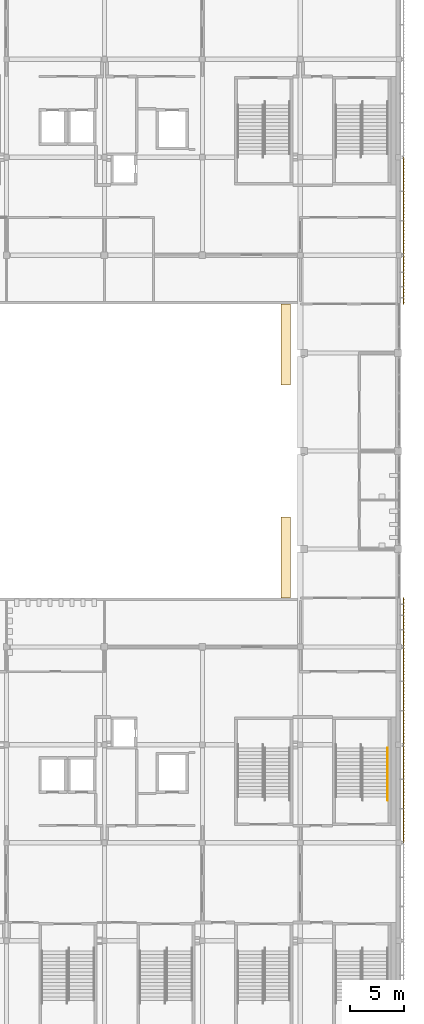
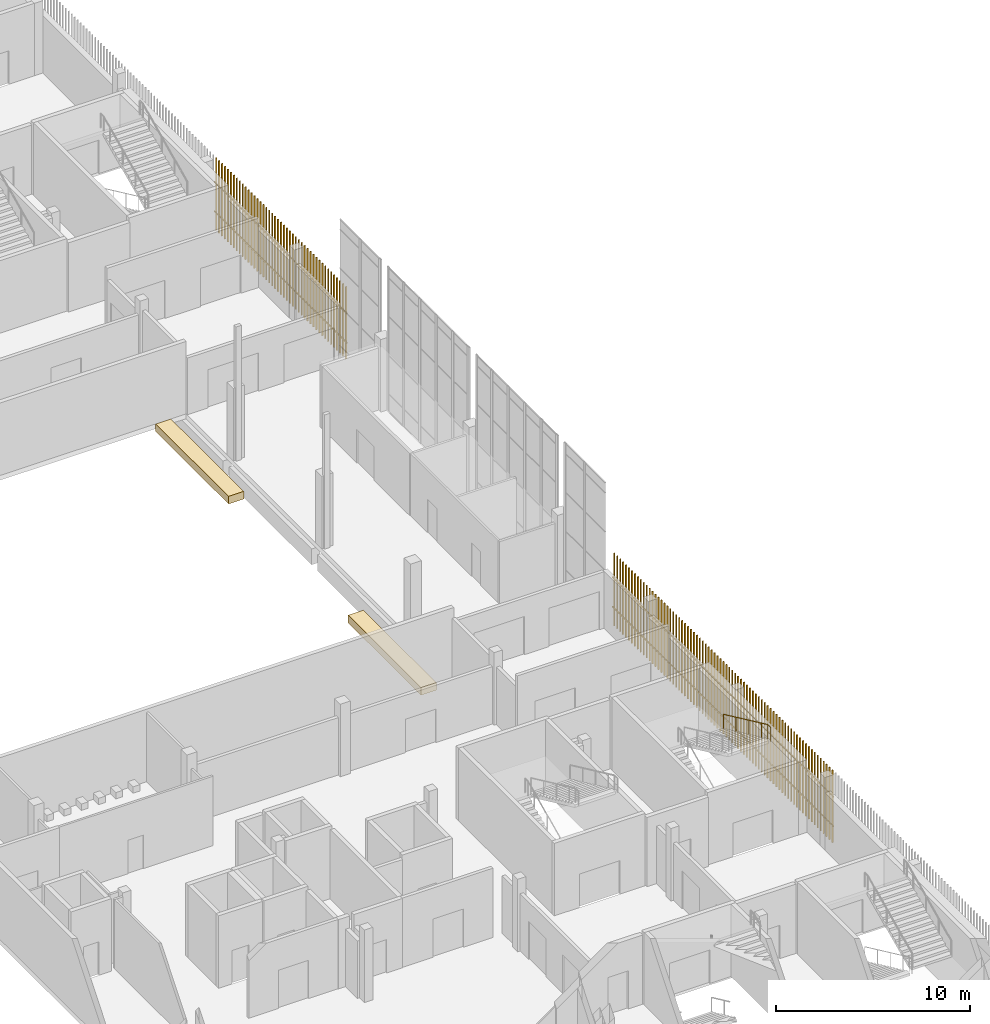
# One storey, part 85 of 91: 5 shading devices, 2 coverings, 1 railing.
"""IFC4 building model written with IfcOpenShell, lengths in metres."""

from ifc_helpers import new_model, si_unit, direction, frame, origin, origin_2d, place, context, subcontext, project, spatial, polyline, rectangle, circle, outline, extrude, material, layer, layer_set, type_object, element, save


model = new_model("IFC4")

# Units and contexts
model_context = context("Model", 3, precision=1e-05, world=origin(), true_north=direction((0.0, 1.0)))
body_context = subcontext(model_context, "Body", "Model", "MODEL_VIEW")
ifc_project = project(units=[si_unit("LENGTHUNIT", "METRE"), si_unit("AREAUNIT", "SQUARE_METRE"), si_unit("VOLUMEUNIT", "CUBIC_METRE"), si_unit("PLANEANGLEUNIT", "RADIAN"), si_unit("MASSUNIT", "GRAM", prefix="KILO")], contexts=[model_context])

# Site, building, storey
site_placement = place(None, origin())
site = spatial("IfcSite", under=ifc_project, at=site_placement, CompositionType="ELEMENT")
building_placement = place(site_placement, origin())
building = spatial("IfcBuilding", under=site, at=building_placement, Name="Shirokan Park Arena", CompositionType="ELEMENT")
storey_placement = place(building_placement, frame((0.0, 0.0, 24.570068359375)))
storey = spatial("IfcBuildingStorey", under=building, at=storey_placement, Name="L05", CompositionType="ELEMENT", Elevation=24.570068359375)

# Coverings
ifc_material_1 = material(Name="Concrete screed on the tier", Category="concrete")
ifc_layer = layer(ifc_material_1, 0.47998046875)
ifc_layer_set = layer_set([ifc_layer], Name="Concrete screed on the tier 480 mm")
covering_type = type_object("IfcCoveringType", Name="Platform floor infill 480", PredefinedType="FLOORING", material=ifc_layer_set)
covering_1_placement = place(storey_placement, frame((0.0, 0.0, -0.47998046875)))
element("IfcCovering", 1, at=covering_1_placement, inside=storey, type_object=covering_type, Name="Wheelchair Platform Floor E1 Upper Tier", PredefinedType="FLOORING", context=body_context, shape_type="SweptSolid", body=[
    extrude(outline(polyline([(135.60009765625, 40.949951171875), (135.60009765625, 48.449951171875), (134.699951171875, 48.449951171875), (134.699951171875, 40.949951171875), (135.60009765625, 40.949951171875)])), origin(), (0.0, 0.0, 1.0), 0.47998046875),
])
covering_2_placement = place(storey_placement, frame((0.0, 0.0, -0.47998046875)))
element("IfcCovering", 2, at=covering_2_placement, inside=storey, type_object=covering_type, Name="Wheelchair Platform Floor E2 Upper Tier", PredefinedType="FLOORING", context=body_context, shape_type="SweptSolid", body=[
    extrude(outline(polyline([(135.60009765625, 60.75), (135.60009765625, 68.25), (134.699951171875, 68.25), (134.699951171875, 60.75), (135.60009765625, 60.75)])), origin(), (0.0, 0.0, 1.0), 0.47998046875),
])

# Railing
ifc_material_2 = material(Name="Stainless steel", Category="steel")
railing_type = type_object("IfcRailingType", Name="Stair handrail 900", PredefinedType="HANDRAIL", material=ifc_material_2)
railing_placement = place(storey_placement, frame((144.610107421875, 27.023681640625, 2.426513671875)))
element("IfcRailing", 3, at=railing_placement, inside=storey, type_object=railing_type, Name="Handrail Exit Stair 2.E L05 to L06", PredefinedType="HANDRAIL", context=body_context, shape_type="SweptSolid", body=[
    extrude(circle(Radius=0.02392578125, at=origin_2d()), frame((0.0, 0.0, 0.8759765625), z_axis=(0.0, -0.906999720516, 0.421131222998), x_axis=(1.0, 0.0, 0.0)), (0.0, 0.0, 1.0), 1.440673828125),
    extrude(circle(Radius=0.02392578125, at=origin_2d()), frame((0.0, -1.306640625, 1.482421875), z_axis=(0.0, -0.907029769225, 0.421066500378), x_axis=(1.0, 0.0, 0.0)), (0.0, 0.0, 1.0), 1.44091796875),
    extrude(circle(Radius=0.02392578125, at=origin_2d()), frame((0.0, -2.613525390625, 2.08935546875), z_axis=(0.0, -0.906999720516, 0.421131222998), x_axis=(1.0, 0.0, 0.0)), (0.0, 0.0, 1.0), 1.440673828125),
    extrude(circle(Radius=0.02392578125, at=origin_2d()), frame((0.0, -3.920166015625, 2.69580078125), z_axis=(0.0, -0.906995101989, 0.421141169881), x_axis=(1.0, 0.0, 0.0)), (0.0, 0.0, 1.0), 0.720703125),
    extrude(circle(Radius=0.02392578125, at=origin_2d()), frame((0.0, -4.57373046875, 2.99951171875), z_axis=(0.0, -1.0, 0.0), x_axis=(1.0, 0.0, 0.0)), (0.0, 0.0, 1.0), 0.300048828125),
    extrude(circle(Radius=0.02099609375, at=origin_2d()), origin(), (0.0, 0.0, 1.0), 0.851806640625),
    extrude(circle(Radius=0.02099609375, at=origin_2d()), frame((0.0, -1.306640625, 0.606689453125)), (0.0, 0.0, 1.0), 0.851806640625),
    extrude(circle(Radius=0.02099609375, at=origin_2d()), frame((0.0, -2.613525390625, 1.21337890625)), (0.0, 0.0, 1.0), 0.851806640625),
    extrude(circle(Radius=0.02099609375, at=origin_2d()), frame((0.0, -3.920166015625, 1.820068359375)), (0.0, 0.0, 1.0), 0.851806640625),
    extrude(circle(Radius=0.02099609375, at=origin_2d()), frame((0.0, -4.57373046875, 2.12353515625)), (0.0, 0.0, 1.0), 0.851806640625),
    extrude(circle(Radius=0.02099609375, at=origin_2d()), frame((0.0, -4.873779296875, 2.12353515625)), (0.0, 0.0, 1.0), 0.851806640625),
])

# Shading devices
ifc_material_3 = material(Name="Timber louvre veil (cedar)", Category="wood")
shading_device_type = type_object("IfcShadingDeviceType", Name="Timber louvre veil panel", PredefinedType="JALOUSIE", material=ifc_material_3)
shading_device_1_placement = place(storey_placement, origin())
element("IfcShadingDevice", 4, at=shading_device_1_placement, inside=storey, type_object=shading_device_type, Name="Timber louvre veil east bay 3 L05", PredefinedType="JALOUSIE", context=body_context, shape_type="SweptSolid", body=[
    extrude(rectangle(XDim=0.050048828125, YDim=0.080078125, at=origin_2d()), frame((146.0849609375, 18.3515625, 0.0), z_axis=(0.0, 0.0, 1.0), x_axis=(0.0, 1.0, 0.0)), (0.0, 0.0, 1.0), 4.550048828125),
    extrude(rectangle(XDim=0.050048828125, YDim=0.080078125, at=origin_2d()), frame((146.0849609375, 18.655029296875, 0.0), z_axis=(0.0, 0.0, 1.0), x_axis=(0.0, 1.0, 0.0)), (0.0, 0.0, 1.0), 4.550048828125),
    extrude(rectangle(XDim=0.050048828125, YDim=0.080078125, at=origin_2d()), frame((146.0849609375, 18.958251953125, 0.0), z_axis=(0.0, 0.0, 1.0), x_axis=(0.0, 1.0, 0.0)), (0.0, 0.0, 1.0), 4.550048828125),
    extrude(rectangle(XDim=0.050048828125, YDim=0.080078125, at=origin_2d()), frame((146.0849609375, 19.26171875, 0.0), z_axis=(0.0, 0.0, 1.0), x_axis=(0.0, 1.0, 0.0)), (0.0, 0.0, 1.0), 4.550048828125),
    extrude(rectangle(XDim=0.050048828125, YDim=0.080078125, at=origin_2d()), frame((146.0849609375, 19.56494140625, 0.0), z_axis=(0.0, 0.0, 1.0), x_axis=(0.0, 1.0, 0.0)), (0.0, 0.0, 1.0), 4.550048828125),
    extrude(rectangle(XDim=0.050048828125, YDim=0.080078125, at=origin_2d()), frame((146.0849609375, 19.868408203125, 0.0), z_axis=(0.0, 0.0, 1.0), x_axis=(0.0, 1.0, 0.0)), (0.0, 0.0, 1.0), 4.550048828125),
    extrude(rectangle(XDim=0.050048828125, YDim=0.080078125, at=origin_2d()), frame((146.0849609375, 20.171630859375, 0.0), z_axis=(0.0, 0.0, 1.0), x_axis=(0.0, 1.0, 0.0)), (0.0, 0.0, 1.0), 4.550048828125),
    extrude(rectangle(XDim=0.050048828125, YDim=0.080078125, at=origin_2d()), frame((146.0849609375, 20.47509765625, 0.0), z_axis=(0.0, 0.0, 1.0), x_axis=(0.0, 1.0, 0.0)), (0.0, 0.0, 1.0), 4.550048828125),
    extrude(rectangle(XDim=0.050048828125, YDim=0.080078125, at=origin_2d()), frame((146.0849609375, 20.7783203125, 0.0), z_axis=(0.0, 0.0, 1.0), x_axis=(0.0, 1.0, 0.0)), (0.0, 0.0, 1.0), 4.550048828125),
    extrude(rectangle(XDim=0.050048828125, YDim=0.080078125, at=origin_2d()), frame((146.0849609375, 21.081787109375, 0.0), z_axis=(0.0, 0.0, 1.0), x_axis=(0.0, 1.0, 0.0)), (0.0, 0.0, 1.0), 4.550048828125),
    extrude(rectangle(XDim=0.050048828125, YDim=0.080078125, at=origin_2d()), frame((146.0849609375, 21.385009765625, 0.0), z_axis=(0.0, 0.0, 1.0), x_axis=(0.0, 1.0, 0.0)), (0.0, 0.0, 1.0), 4.550048828125),
    extrude(rectangle(XDim=0.050048828125, YDim=0.080078125, at=origin_2d()), frame((146.0849609375, 21.688232421875, 0.0), z_axis=(0.0, 0.0, 1.0), x_axis=(0.0, 1.0, 0.0)), (0.0, 0.0, 1.0), 4.550048828125),
    extrude(rectangle(XDim=0.050048828125, YDim=0.080078125, at=origin_2d()), frame((146.0849609375, 21.99169921875, 0.0), z_axis=(0.0, 0.0, 1.0), x_axis=(0.0, 1.0, 0.0)), (0.0, 0.0, 1.0), 4.550048828125),
    extrude(rectangle(XDim=0.050048828125, YDim=0.080078125, at=origin_2d()), frame((146.0849609375, 22.294921875, 0.0), z_axis=(0.0, 0.0, 1.0), x_axis=(0.0, 1.0, 0.0)), (0.0, 0.0, 1.0), 4.550048828125),
    extrude(rectangle(XDim=0.050048828125, YDim=0.080078125, at=origin_2d()), frame((146.0849609375, 22.598388671875, 0.0), z_axis=(0.0, 0.0, 1.0), x_axis=(0.0, 1.0, 0.0)), (0.0, 0.0, 1.0), 4.550048828125),
    extrude(rectangle(XDim=0.050048828125, YDim=0.080078125, at=origin_2d()), frame((146.0849609375, 22.901611328125, 0.0), z_axis=(0.0, 0.0, 1.0), x_axis=(0.0, 1.0, 0.0)), (0.0, 0.0, 1.0), 4.550048828125),
    extrude(rectangle(XDim=0.050048828125, YDim=0.080078125, at=origin_2d()), frame((146.0849609375, 23.205078125, 0.0), z_axis=(0.0, 0.0, 1.0), x_axis=(0.0, 1.0, 0.0)), (0.0, 0.0, 1.0), 4.550048828125),
    extrude(rectangle(XDim=0.050048828125, YDim=0.080078125, at=origin_2d()), frame((146.0849609375, 23.50830078125, 0.0), z_axis=(0.0, 0.0, 1.0), x_axis=(0.0, 1.0, 0.0)), (0.0, 0.0, 1.0), 4.550048828125),
    extrude(rectangle(XDim=0.050048828125, YDim=0.080078125, at=origin_2d()), frame((146.0849609375, 23.811767578125, 0.0), z_axis=(0.0, 0.0, 1.0), x_axis=(0.0, 1.0, 0.0)), (0.0, 0.0, 1.0), 4.550048828125),
    extrude(rectangle(XDim=0.050048828125, YDim=0.080078125, at=origin_2d()), frame((146.0849609375, 24.114990234375, 0.0), z_axis=(0.0, 0.0, 1.0), x_axis=(0.0, 1.0, 0.0)), (0.0, 0.0, 1.0), 4.550048828125),
    extrude(rectangle(XDim=0.050048828125, YDim=0.080078125, at=origin_2d()), frame((146.0849609375, 24.418212890625, 0.0), z_axis=(0.0, 0.0, 1.0), x_axis=(0.0, 1.0, 0.0)), (0.0, 0.0, 1.0), 4.550048828125),
    extrude(rectangle(XDim=0.050048828125, YDim=0.080078125, at=origin_2d()), frame((146.0849609375, 24.7216796875, 0.0), z_axis=(0.0, 0.0, 1.0), x_axis=(0.0, 1.0, 0.0)), (0.0, 0.0, 1.0), 4.550048828125),
    extrude(rectangle(XDim=0.050048828125, YDim=0.080078125, at=origin_2d()), frame((146.0849609375, 25.02490234375, 0.0), z_axis=(0.0, 0.0, 1.0), x_axis=(0.0, 1.0, 0.0)), (0.0, 0.0, 1.0), 4.550048828125),
    extrude(rectangle(XDim=0.050048828125, YDim=0.080078125, at=origin_2d()), frame((146.0849609375, 25.328369140625, 0.0), z_axis=(0.0, 0.0, 1.0), x_axis=(0.0, 1.0, 0.0)), (0.0, 0.0, 1.0), 4.550048828125),
    extrude(rectangle(XDim=0.050048828125, YDim=0.080078125, at=origin_2d()), frame((146.0849609375, 25.631591796875, 0.0), z_axis=(0.0, 0.0, 1.0), x_axis=(0.0, 1.0, 0.0)), (0.0, 0.0, 1.0), 4.550048828125),
    extrude(rectangle(XDim=0.050048828125, YDim=0.080078125, at=origin_2d()), frame((146.0849609375, 25.93505859375, 0.0), z_axis=(0.0, 0.0, 1.0), x_axis=(0.0, 1.0, 0.0)), (0.0, 0.0, 1.0), 4.550048828125),
    extrude(rectangle(XDim=0.050048828125, YDim=0.080078125, at=origin_2d()), frame((146.0849609375, 26.23828125, 0.0), z_axis=(0.0, 0.0, 1.0), x_axis=(0.0, 1.0, 0.0)), (0.0, 0.0, 1.0), 4.550048828125),
    extrude(rectangle(XDim=0.050048828125, YDim=0.080078125, at=origin_2d()), frame((146.0849609375, 26.541748046875, 0.0), z_axis=(0.0, 0.0, 1.0), x_axis=(0.0, 1.0, 0.0)), (0.0, 0.0, 1.0), 4.550048828125),
    extrude(rectangle(XDim=0.050048828125, YDim=0.080078125, at=origin_2d()), frame((146.0849609375, 26.844970703125, 0.0), z_axis=(0.0, 0.0, 1.0), x_axis=(0.0, 1.0, 0.0)), (0.0, 0.0, 1.0), 4.550048828125),
    extrude(rectangle(XDim=0.050048828125, YDim=0.080078125, at=origin_2d()), frame((146.0849609375, 27.1484375, 0.0), z_axis=(0.0, 0.0, 1.0), x_axis=(0.0, 1.0, 0.0)), (0.0, 0.0, 1.0), 4.550048828125),
    extrude(rectangle(XDim=9.10009765625, YDim=0.050048828125, at=origin_2d()), frame((146.070068359375, 22.75, 1.059814453125), z_axis=(0.0, 0.0, 1.0), x_axis=(0.0, 1.0, 0.0)), (0.0, 0.0, 1.0), 0.080078125),
    extrude(rectangle(XDim=9.10009765625, YDim=0.050048828125, at=origin_2d()), frame((146.070068359375, 22.75, 2.909912109375), z_axis=(0.0, 0.0, 1.0), x_axis=(0.0, 1.0, 0.0)), (0.0, 0.0, 1.0), 0.080078125),
])
shading_device_2_placement = place(storey_placement, origin())
element("IfcShadingDevice", 5, at=shading_device_2_placement, inside=storey, type_object=shading_device_type, Name="Timber louvre veil east bay 4 L05", PredefinedType="JALOUSIE", context=body_context, shape_type="SweptSolid", body=[
    extrude(rectangle(XDim=0.050048828125, YDim=0.080078125, at=origin_2d()), frame((146.0849609375, 27.45166015625, 0.0), z_axis=(0.0, 0.0, 1.0), x_axis=(0.0, 1.0, 0.0)), (0.0, 0.0, 1.0), 4.550048828125),
    extrude(rectangle(XDim=0.050048828125, YDim=0.080078125, at=origin_2d()), frame((146.0849609375, 27.7548828125, 0.0), z_axis=(0.0, 0.0, 1.0), x_axis=(0.0, 1.0, 0.0)), (0.0, 0.0, 1.0), 4.550048828125),
    extrude(rectangle(XDim=0.050048828125, YDim=0.080078125, at=origin_2d()), frame((146.0849609375, 28.058349609375, 0.0), z_axis=(0.0, 0.0, 1.0), x_axis=(0.0, 1.0, 0.0)), (0.0, 0.0, 1.0), 4.550048828125),
    extrude(rectangle(XDim=0.050048828125, YDim=0.080078125, at=origin_2d()), frame((146.0849609375, 28.361572265625, 0.0), z_axis=(0.0, 0.0, 1.0), x_axis=(0.0, 1.0, 0.0)), (0.0, 0.0, 1.0), 4.550048828125),
    extrude(rectangle(XDim=0.050048828125, YDim=0.080078125, at=origin_2d()), frame((146.0849609375, 28.6650390625, 0.0), z_axis=(0.0, 0.0, 1.0), x_axis=(0.0, 1.0, 0.0)), (0.0, 0.0, 1.0), 4.550048828125),
    extrude(rectangle(XDim=0.050048828125, YDim=0.080078125, at=origin_2d()), frame((146.0849609375, 28.96826171875, 0.0), z_axis=(0.0, 0.0, 1.0), x_axis=(0.0, 1.0, 0.0)), (0.0, 0.0, 1.0), 4.550048828125),
    extrude(rectangle(XDim=0.050048828125, YDim=0.080078125, at=origin_2d()), frame((146.0849609375, 29.271728515625, 0.0), z_axis=(0.0, 0.0, 1.0), x_axis=(0.0, 1.0, 0.0)), (0.0, 0.0, 1.0), 4.550048828125),
    extrude(rectangle(XDim=0.050048828125, YDim=0.080078125, at=origin_2d()), frame((146.0849609375, 29.574951171875, 0.0), z_axis=(0.0, 0.0, 1.0), x_axis=(0.0, 1.0, 0.0)), (0.0, 0.0, 1.0), 4.550048828125),
    extrude(rectangle(XDim=0.050048828125, YDim=0.080078125, at=origin_2d()), frame((146.0849609375, 29.87841796875, 0.0), z_axis=(0.0, 0.0, 1.0), x_axis=(0.0, 1.0, 0.0)), (0.0, 0.0, 1.0), 4.550048828125),
    extrude(rectangle(XDim=0.050048828125, YDim=0.080078125, at=origin_2d()), frame((146.0849609375, 30.181640625, 0.0), z_axis=(0.0, 0.0, 1.0), x_axis=(0.0, 1.0, 0.0)), (0.0, 0.0, 1.0), 4.550048828125),
    extrude(rectangle(XDim=0.050048828125, YDim=0.080078125, at=origin_2d()), frame((146.0849609375, 30.485107421875, 0.0), z_axis=(0.0, 0.0, 1.0), x_axis=(0.0, 1.0, 0.0)), (0.0, 0.0, 1.0), 4.550048828125),
    extrude(rectangle(XDim=0.050048828125, YDim=0.080078125, at=origin_2d()), frame((146.0849609375, 30.788330078125, 0.0), z_axis=(0.0, 0.0, 1.0), x_axis=(0.0, 1.0, 0.0)), (0.0, 0.0, 1.0), 4.550048828125),
    extrude(rectangle(XDim=0.050048828125, YDim=0.080078125, at=origin_2d()), frame((146.0849609375, 31.091552734375, 0.0), z_axis=(0.0, 0.0, 1.0), x_axis=(0.0, 1.0, 0.0)), (0.0, 0.0, 1.0), 4.550048828125),
    extrude(rectangle(XDim=0.050048828125, YDim=0.080078125, at=origin_2d()), frame((146.0849609375, 31.39501953125, 0.0), z_axis=(0.0, 0.0, 1.0), x_axis=(0.0, 1.0, 0.0)), (0.0, 0.0, 1.0), 4.550048828125),
    extrude(rectangle(XDim=0.050048828125, YDim=0.080078125, at=origin_2d()), frame((146.0849609375, 31.6982421875, 0.0), z_axis=(0.0, 0.0, 1.0), x_axis=(0.0, 1.0, 0.0)), (0.0, 0.0, 1.0), 4.550048828125),
    extrude(rectangle(XDim=0.050048828125, YDim=0.080078125, at=origin_2d()), frame((146.0849609375, 32.001708984375, 0.0), z_axis=(0.0, 0.0, 1.0), x_axis=(0.0, 1.0, 0.0)), (0.0, 0.0, 1.0), 4.550048828125),
    extrude(rectangle(XDim=0.050048828125, YDim=0.080078125, at=origin_2d()), frame((146.0849609375, 32.304931640625, 0.0), z_axis=(0.0, 0.0, 1.0), x_axis=(0.0, 1.0, 0.0)), (0.0, 0.0, 1.0), 4.550048828125),
    extrude(rectangle(XDim=0.050048828125, YDim=0.080078125, at=origin_2d()), frame((146.0849609375, 32.6083984375, 0.0), z_axis=(0.0, 0.0, 1.0), x_axis=(0.0, 1.0, 0.0)), (0.0, 0.0, 1.0), 4.550048828125),
    extrude(rectangle(XDim=0.050048828125, YDim=0.080078125, at=origin_2d()), frame((146.0849609375, 32.91162109375, 0.0), z_axis=(0.0, 0.0, 1.0), x_axis=(0.0, 1.0, 0.0)), (0.0, 0.0, 1.0), 4.550048828125),
    extrude(rectangle(XDim=0.050048828125, YDim=0.080078125, at=origin_2d()), frame((146.0849609375, 33.215087890625, 0.0), z_axis=(0.0, 0.0, 1.0), x_axis=(0.0, 1.0, 0.0)), (0.0, 0.0, 1.0), 4.550048828125),
    extrude(rectangle(XDim=0.050048828125, YDim=0.080078125, at=origin_2d()), frame((146.0849609375, 33.518310546875, 0.0), z_axis=(0.0, 0.0, 1.0), x_axis=(0.0, 1.0, 0.0)), (0.0, 0.0, 1.0), 4.550048828125),
    extrude(rectangle(XDim=0.050048828125, YDim=0.080078125, at=origin_2d()), frame((146.0849609375, 33.82177734375, 0.0), z_axis=(0.0, 0.0, 1.0), x_axis=(0.0, 1.0, 0.0)), (0.0, 0.0, 1.0), 4.550048828125),
    extrude(rectangle(XDim=0.050048828125, YDim=0.080078125, at=origin_2d()), frame((146.0849609375, 34.125, 0.0), z_axis=(0.0, 0.0, 1.0), x_axis=(0.0, 1.0, 0.0)), (0.0, 0.0, 1.0), 4.550048828125),
    extrude(rectangle(XDim=0.050048828125, YDim=0.080078125, at=origin_2d()), frame((146.0849609375, 34.42822265625, 0.0), z_axis=(0.0, 0.0, 1.0), x_axis=(0.0, 1.0, 0.0)), (0.0, 0.0, 1.0), 4.550048828125),
    extrude(rectangle(XDim=0.050048828125, YDim=0.080078125, at=origin_2d()), frame((146.0849609375, 34.731689453125, 0.0), z_axis=(0.0, 0.0, 1.0), x_axis=(0.0, 1.0, 0.0)), (0.0, 0.0, 1.0), 4.550048828125),
    extrude(rectangle(XDim=0.050048828125, YDim=0.080078125, at=origin_2d()), frame((146.0849609375, 35.034912109375, 0.0), z_axis=(0.0, 0.0, 1.0), x_axis=(0.0, 1.0, 0.0)), (0.0, 0.0, 1.0), 4.550048828125),
    extrude(rectangle(XDim=0.050048828125, YDim=0.080078125, at=origin_2d()), frame((146.0849609375, 35.33837890625, 0.0), z_axis=(0.0, 0.0, 1.0), x_axis=(0.0, 1.0, 0.0)), (0.0, 0.0, 1.0), 4.550048828125),
    extrude(rectangle(XDim=0.050048828125, YDim=0.080078125, at=origin_2d()), frame((146.0849609375, 35.6416015625, 0.0), z_axis=(0.0, 0.0, 1.0), x_axis=(0.0, 1.0, 0.0)), (0.0, 0.0, 1.0), 4.550048828125),
    extrude(rectangle(XDim=0.050048828125, YDim=0.080078125, at=origin_2d()), frame((146.0849609375, 35.945068359375, 0.0), z_axis=(0.0, 0.0, 1.0), x_axis=(0.0, 1.0, 0.0)), (0.0, 0.0, 1.0), 4.550048828125),
    extrude(rectangle(XDim=0.050048828125, YDim=0.080078125, at=origin_2d()), frame((146.0849609375, 36.248291015625, 0.0), z_axis=(0.0, 0.0, 1.0), x_axis=(0.0, 1.0, 0.0)), (0.0, 0.0, 1.0), 4.550048828125),
    extrude(rectangle(XDim=9.10009765625, YDim=0.050048828125, at=origin_2d()), frame((146.070068359375, 31.85009765625, 1.059814453125), z_axis=(0.0, 0.0, 1.0), x_axis=(0.0, 1.0, 0.0)), (0.0, 0.0, 1.0), 0.080078125),
    extrude(rectangle(XDim=9.10009765625, YDim=0.050048828125, at=origin_2d()), frame((146.070068359375, 31.85009765625, 2.909912109375), z_axis=(0.0, 0.0, 1.0), x_axis=(0.0, 1.0, 0.0)), (0.0, 0.0, 1.0), 0.080078125),
])
shading_device_3_placement = place(storey_placement, origin())
element("IfcShadingDevice", 6, at=shading_device_3_placement, inside=storey, type_object=shading_device_type, Name="Timber louvre veil east bay 5 L05", PredefinedType="JALOUSIE", context=body_context, shape_type="SweptSolid", body=[
    extrude(rectangle(XDim=0.050048828125, YDim=0.080078125, at=origin_2d()), frame((146.0849609375, 36.5517578125, 0.0), z_axis=(0.0, 0.0, 1.0), x_axis=(0.0, 1.0, 0.0)), (0.0, 0.0, 1.0), 4.550048828125),
    extrude(rectangle(XDim=0.050048828125, YDim=0.080078125, at=origin_2d()), frame((146.0849609375, 36.85498046875, 0.0), z_axis=(0.0, 0.0, 1.0), x_axis=(0.0, 1.0, 0.0)), (0.0, 0.0, 1.0), 4.550048828125),
    extrude(rectangle(XDim=0.050048828125, YDim=0.080078125, at=origin_2d()), frame((146.0849609375, 37.158447265625, 0.0), z_axis=(0.0, 0.0, 1.0), x_axis=(0.0, 1.0, 0.0)), (0.0, 0.0, 1.0), 4.550048828125),
    extrude(rectangle(XDim=0.050048828125, YDim=0.080078125, at=origin_2d()), frame((146.0849609375, 37.461669921875, 0.0), z_axis=(0.0, 0.0, 1.0), x_axis=(0.0, 1.0, 0.0)), (0.0, 0.0, 1.0), 4.550048828125),
    extrude(rectangle(XDim=0.050048828125, YDim=0.080078125, at=origin_2d()), frame((146.0849609375, 37.764892578125, 0.0), z_axis=(0.0, 0.0, 1.0), x_axis=(0.0, 1.0, 0.0)), (0.0, 0.0, 1.0), 4.550048828125),
    extrude(rectangle(XDim=0.050048828125, YDim=0.080078125, at=origin_2d()), frame((146.0849609375, 38.068359375, 0.0), z_axis=(0.0, 0.0, 1.0), x_axis=(0.0, 1.0, 0.0)), (0.0, 0.0, 1.0), 4.550048828125),
    extrude(rectangle(XDim=0.050048828125, YDim=0.080078125, at=origin_2d()), frame((146.0849609375, 38.37158203125, 0.0), z_axis=(0.0, 0.0, 1.0), x_axis=(0.0, 1.0, 0.0)), (0.0, 0.0, 1.0), 4.550048828125),
    extrude(rectangle(XDim=0.050048828125, YDim=0.080078125, at=origin_2d()), frame((146.0849609375, 38.675048828125, 0.0), z_axis=(0.0, 0.0, 1.0), x_axis=(0.0, 1.0, 0.0)), (0.0, 0.0, 1.0), 4.550048828125),
    extrude(rectangle(XDim=0.050048828125, YDim=0.080078125, at=origin_2d()), frame((146.0849609375, 38.978271484375, 0.0), z_axis=(0.0, 0.0, 1.0), x_axis=(0.0, 1.0, 0.0)), (0.0, 0.0, 1.0), 4.550048828125),
    extrude(rectangle(XDim=0.050048828125, YDim=0.080078125, at=origin_2d()), frame((146.0849609375, 39.28173828125, 0.0), z_axis=(0.0, 0.0, 1.0), x_axis=(0.0, 1.0, 0.0)), (0.0, 0.0, 1.0), 4.550048828125),
    extrude(rectangle(XDim=0.050048828125, YDim=0.080078125, at=origin_2d()), frame((146.0849609375, 39.5849609375, 0.0), z_axis=(0.0, 0.0, 1.0), x_axis=(0.0, 1.0, 0.0)), (0.0, 0.0, 1.0), 4.550048828125),
    extrude(rectangle(XDim=0.050048828125, YDim=0.080078125, at=origin_2d()), frame((146.0849609375, 39.888427734375, 0.0), z_axis=(0.0, 0.0, 1.0), x_axis=(0.0, 1.0, 0.0)), (0.0, 0.0, 1.0), 4.550048828125),
    extrude(rectangle(XDim=0.050048828125, YDim=0.080078125, at=origin_2d()), frame((146.0849609375, 40.191650390625, 0.0), z_axis=(0.0, 0.0, 1.0), x_axis=(0.0, 1.0, 0.0)), (0.0, 0.0, 1.0), 4.550048828125),
    extrude(rectangle(XDim=0.050048828125, YDim=0.080078125, at=origin_2d()), frame((146.0849609375, 40.4951171875, 0.0), z_axis=(0.0, 0.0, 1.0), x_axis=(0.0, 1.0, 0.0)), (0.0, 0.0, 1.0), 4.550048828125),
    extrude(rectangle(XDim=0.050048828125, YDim=0.080078125, at=origin_2d()), frame((146.0849609375, 40.79833984375, 0.0), z_axis=(0.0, 0.0, 1.0), x_axis=(0.0, 1.0, 0.0)), (0.0, 0.0, 1.0), 4.550048828125),
    extrude(rectangle(XDim=4.550048828125, YDim=0.050048828125, at=origin_2d()), frame((146.070068359375, 38.675048828125, 1.059814453125), z_axis=(0.0, 0.0, 1.0), x_axis=(0.0, 1.0, 0.0)), (0.0, 0.0, 1.0), 0.080078125),
    extrude(rectangle(XDim=4.550048828125, YDim=0.050048828125, at=origin_2d()), frame((146.070068359375, 38.675048828125, 2.909912109375), z_axis=(0.0, 0.0, 1.0), x_axis=(0.0, 1.0, 0.0)), (0.0, 0.0, 1.0), 0.080078125),
])
shading_device_4_placement = place(storey_placement, origin())
element("IfcShadingDevice", 7, at=shading_device_4_placement, inside=storey, type_object=shading_device_type, Name="Timber louvre veil east bay 8 L05", PredefinedType="JALOUSIE", context=body_context, shape_type="SweptSolid", body=[
    extrude(rectangle(XDim=0.050048828125, YDim=0.080078125, at=origin_2d()), frame((146.0849609375, 68.401611328125, 0.0), z_axis=(0.0, 0.0, 1.0), x_axis=(0.0, 1.0, 0.0)), (0.0, 0.0, 1.0), 4.550048828125),
    extrude(rectangle(XDim=0.050048828125, YDim=0.080078125, at=origin_2d()), frame((146.0849609375, 68.705078125, 0.0), z_axis=(0.0, 0.0, 1.0), x_axis=(0.0, 1.0, 0.0)), (0.0, 0.0, 1.0), 4.550048828125),
    extrude(rectangle(XDim=0.050048828125, YDim=0.080078125, at=origin_2d()), frame((146.0849609375, 69.00830078125, 0.0), z_axis=(0.0, 0.0, 1.0), x_axis=(0.0, 1.0, 0.0)), (0.0, 0.0, 1.0), 4.550048828125),
    extrude(rectangle(XDim=0.050048828125, YDim=0.080078125, at=origin_2d()), frame((146.0849609375, 69.311767578125, 0.0), z_axis=(0.0, 0.0, 1.0), x_axis=(0.0, 1.0, 0.0)), (0.0, 0.0, 1.0), 4.550048828125),
    extrude(rectangle(XDim=0.050048828125, YDim=0.080078125, at=origin_2d()), frame((146.0849609375, 69.614990234375, 0.0), z_axis=(0.0, 0.0, 1.0), x_axis=(0.0, 1.0, 0.0)), (0.0, 0.0, 1.0), 4.550048828125),
    extrude(rectangle(XDim=0.050048828125, YDim=0.080078125, at=origin_2d()), frame((146.0849609375, 69.918212890625, 0.0), z_axis=(0.0, 0.0, 1.0), x_axis=(0.0, 1.0, 0.0)), (0.0, 0.0, 1.0), 4.550048828125),
    extrude(rectangle(XDim=0.050048828125, YDim=0.080078125, at=origin_2d()), frame((146.0849609375, 70.2216796875, 0.0), z_axis=(0.0, 0.0, 1.0), x_axis=(0.0, 1.0, 0.0)), (0.0, 0.0, 1.0), 4.550048828125),
    extrude(rectangle(XDim=0.050048828125, YDim=0.080078125, at=origin_2d()), frame((146.0849609375, 70.52490234375, 0.0), z_axis=(0.0, 0.0, 1.0), x_axis=(0.0, 1.0, 0.0)), (0.0, 0.0, 1.0), 4.550048828125),
    extrude(rectangle(XDim=0.050048828125, YDim=0.080078125, at=origin_2d()), frame((146.0849609375, 70.828369140625, 0.0), z_axis=(0.0, 0.0, 1.0), x_axis=(0.0, 1.0, 0.0)), (0.0, 0.0, 1.0), 4.550048828125),
    extrude(rectangle(XDim=0.050048828125, YDim=0.080078125, at=origin_2d()), frame((146.0849609375, 71.131591796875, 0.0), z_axis=(0.0, 0.0, 1.0), x_axis=(0.0, 1.0, 0.0)), (0.0, 0.0, 1.0), 4.550048828125),
    extrude(rectangle(XDim=0.050048828125, YDim=0.080078125, at=origin_2d()), frame((146.0849609375, 71.43505859375, 0.0), z_axis=(0.0, 0.0, 1.0), x_axis=(0.0, 1.0, 0.0)), (0.0, 0.0, 1.0), 4.550048828125),
    extrude(rectangle(XDim=0.050048828125, YDim=0.080078125, at=origin_2d()), frame((146.0849609375, 71.73828125, 0.0), z_axis=(0.0, 0.0, 1.0), x_axis=(0.0, 1.0, 0.0)), (0.0, 0.0, 1.0), 4.550048828125),
    extrude(rectangle(XDim=0.050048828125, YDim=0.080078125, at=origin_2d()), frame((146.0849609375, 72.041748046875, 0.0), z_axis=(0.0, 0.0, 1.0), x_axis=(0.0, 1.0, 0.0)), (0.0, 0.0, 1.0), 4.550048828125),
    extrude(rectangle(XDim=0.050048828125, YDim=0.080078125, at=origin_2d()), frame((146.0849609375, 72.344970703125, 0.0), z_axis=(0.0, 0.0, 1.0), x_axis=(0.0, 1.0, 0.0)), (0.0, 0.0, 1.0), 4.550048828125),
    extrude(rectangle(XDim=0.050048828125, YDim=0.080078125, at=origin_2d()), frame((146.0849609375, 72.6484375, 0.0), z_axis=(0.0, 0.0, 1.0), x_axis=(0.0, 1.0, 0.0)), (0.0, 0.0, 1.0), 4.550048828125),
    extrude(rectangle(XDim=4.550048828125, YDim=0.050048828125, at=origin_2d()), frame((146.070068359375, 70.52490234375, 1.059814453125), z_axis=(0.0, 0.0, 1.0), x_axis=(0.0, 1.0, 0.0)), (0.0, 0.0, 1.0), 0.080078125),
    extrude(rectangle(XDim=4.550048828125, YDim=0.050048828125, at=origin_2d()), frame((146.070068359375, 70.52490234375, 2.909912109375), z_axis=(0.0, 0.0, 1.0), x_axis=(0.0, 1.0, 0.0)), (0.0, 0.0, 1.0), 0.080078125),
])
shading_device_5_placement = place(storey_placement, origin())
element("IfcShadingDevice", 8, at=shading_device_5_placement, inside=storey, type_object=shading_device_type, Name="Timber louvre veil east bay 9 L05", PredefinedType="JALOUSIE", context=body_context, shape_type="SweptSolid", body=[
    extrude(rectangle(XDim=0.050048828125, YDim=0.080078125, at=origin_2d()), frame((146.0849609375, 72.95166015625, 0.0), z_axis=(0.0, 0.0, 1.0), x_axis=(0.0, 1.0, 0.0)), (0.0, 0.0, 1.0), 4.550048828125),
    extrude(rectangle(XDim=0.050048828125, YDim=0.080078125, at=origin_2d()), frame((146.0849609375, 73.2548828125, 0.0), z_axis=(0.0, 0.0, 1.0), x_axis=(0.0, 1.0, 0.0)), (0.0, 0.0, 1.0), 4.550048828125),
    extrude(rectangle(XDim=0.050048828125, YDim=0.080078125, at=origin_2d()), frame((146.0849609375, 73.558349609375, 0.0), z_axis=(0.0, 0.0, 1.0), x_axis=(0.0, 1.0, 0.0)), (0.0, 0.0, 1.0), 4.550048828125),
    extrude(rectangle(XDim=0.050048828125, YDim=0.080078125, at=origin_2d()), frame((146.0849609375, 73.861572265625, 0.0), z_axis=(0.0, 0.0, 1.0), x_axis=(0.0, 1.0, 0.0)), (0.0, 0.0, 1.0), 4.550048828125),
    extrude(rectangle(XDim=0.050048828125, YDim=0.080078125, at=origin_2d()), frame((146.0849609375, 74.1650390625, 0.0), z_axis=(0.0, 0.0, 1.0), x_axis=(0.0, 1.0, 0.0)), (0.0, 0.0, 1.0), 4.550048828125),
    extrude(rectangle(XDim=0.050048828125, YDim=0.080078125, at=origin_2d()), frame((146.0849609375, 74.46826171875, 0.0), z_axis=(0.0, 0.0, 1.0), x_axis=(0.0, 1.0, 0.0)), (0.0, 0.0, 1.0), 4.550048828125),
    extrude(rectangle(XDim=0.050048828125, YDim=0.080078125, at=origin_2d()), frame((146.0849609375, 74.771728515625, 0.0), z_axis=(0.0, 0.0, 1.0), x_axis=(0.0, 1.0, 0.0)), (0.0, 0.0, 1.0), 4.550048828125),
    extrude(rectangle(XDim=0.050048828125, YDim=0.080078125, at=origin_2d()), frame((146.0849609375, 75.074951171875, 0.0), z_axis=(0.0, 0.0, 1.0), x_axis=(0.0, 1.0, 0.0)), (0.0, 0.0, 1.0), 4.550048828125),
    extrude(rectangle(XDim=0.050048828125, YDim=0.080078125, at=origin_2d()), frame((146.0849609375, 75.37841796875, 0.0), z_axis=(0.0, 0.0, 1.0), x_axis=(0.0, 1.0, 0.0)), (0.0, 0.0, 1.0), 4.550048828125),
    extrude(rectangle(XDim=0.050048828125, YDim=0.080078125, at=origin_2d()), frame((146.0849609375, 75.681640625, 0.0), z_axis=(0.0, 0.0, 1.0), x_axis=(0.0, 1.0, 0.0)), (0.0, 0.0, 1.0), 4.550048828125),
    extrude(rectangle(XDim=0.050048828125, YDim=0.080078125, at=origin_2d()), frame((146.0849609375, 75.985107421875, 0.0), z_axis=(0.0, 0.0, 1.0), x_axis=(0.0, 1.0, 0.0)), (0.0, 0.0, 1.0), 4.550048828125),
    extrude(rectangle(XDim=0.050048828125, YDim=0.080078125, at=origin_2d()), frame((146.0849609375, 76.288330078125, 0.0), z_axis=(0.0, 0.0, 1.0), x_axis=(0.0, 1.0, 0.0)), (0.0, 0.0, 1.0), 4.550048828125),
    extrude(rectangle(XDim=0.050048828125, YDim=0.080078125, at=origin_2d()), frame((146.0849609375, 76.591552734375, 0.0), z_axis=(0.0, 0.0, 1.0), x_axis=(0.0, 1.0, 0.0)), (0.0, 0.0, 1.0), 4.550048828125),
    extrude(rectangle(XDim=0.050048828125, YDim=0.080078125, at=origin_2d()), frame((146.0849609375, 76.89501953125, 0.0), z_axis=(0.0, 0.0, 1.0), x_axis=(0.0, 1.0, 0.0)), (0.0, 0.0, 1.0), 4.550048828125),
    extrude(rectangle(XDim=0.050048828125, YDim=0.080078125, at=origin_2d()), frame((146.0849609375, 77.1982421875, 0.0), z_axis=(0.0, 0.0, 1.0), x_axis=(0.0, 1.0, 0.0)), (0.0, 0.0, 1.0), 4.550048828125),
    extrude(rectangle(XDim=0.050048828125, YDim=0.080078125, at=origin_2d()), frame((146.0849609375, 77.501708984375, 0.0), z_axis=(0.0, 0.0, 1.0), x_axis=(0.0, 1.0, 0.0)), (0.0, 0.0, 1.0), 4.550048828125),
    extrude(rectangle(XDim=0.050048828125, YDim=0.080078125, at=origin_2d()), frame((146.0849609375, 77.804931640625, 0.0), z_axis=(0.0, 0.0, 1.0), x_axis=(0.0, 1.0, 0.0)), (0.0, 0.0, 1.0), 4.550048828125),
    extrude(rectangle(XDim=0.050048828125, YDim=0.080078125, at=origin_2d()), frame((146.0849609375, 78.1083984375, 0.0), z_axis=(0.0, 0.0, 1.0), x_axis=(0.0, 1.0, 0.0)), (0.0, 0.0, 1.0), 4.550048828125),
    extrude(rectangle(XDim=0.050048828125, YDim=0.080078125, at=origin_2d()), frame((146.0849609375, 78.41162109375, 0.0), z_axis=(0.0, 0.0, 1.0), x_axis=(0.0, 1.0, 0.0)), (0.0, 0.0, 1.0), 4.550048828125),
    extrude(rectangle(XDim=0.050048828125, YDim=0.080078125, at=origin_2d()), frame((146.0849609375, 78.715087890625, 0.0), z_axis=(0.0, 0.0, 1.0), x_axis=(0.0, 1.0, 0.0)), (0.0, 0.0, 1.0), 4.550048828125),
    extrude(rectangle(XDim=0.050048828125, YDim=0.080078125, at=origin_2d()), frame((146.0849609375, 79.018310546875, 0.0), z_axis=(0.0, 0.0, 1.0), x_axis=(0.0, 1.0, 0.0)), (0.0, 0.0, 1.0), 4.550048828125),
    extrude(rectangle(XDim=0.050048828125, YDim=0.080078125, at=origin_2d()), frame((146.0849609375, 79.32177734375, 0.0), z_axis=(0.0, 0.0, 1.0), x_axis=(0.0, 1.0, 0.0)), (0.0, 0.0, 1.0), 4.550048828125),
    extrude(rectangle(XDim=0.050048828125, YDim=0.080078125, at=origin_2d()), frame((146.0849609375, 79.625, 0.0), z_axis=(0.0, 0.0, 1.0), x_axis=(0.0, 1.0, 0.0)), (0.0, 0.0, 1.0), 4.550048828125),
    extrude(rectangle(XDim=0.050048828125, YDim=0.080078125, at=origin_2d()), frame((146.0849609375, 79.92822265625, 0.0), z_axis=(0.0, 0.0, 1.0), x_axis=(0.0, 1.0, 0.0)), (0.0, 0.0, 1.0), 4.550048828125),
    extrude(rectangle(XDim=0.050048828125, YDim=0.080078125, at=origin_2d()), frame((146.0849609375, 80.231689453125, 0.0), z_axis=(0.0, 0.0, 1.0), x_axis=(0.0, 1.0, 0.0)), (0.0, 0.0, 1.0), 4.550048828125),
    extrude(rectangle(XDim=0.050048828125, YDim=0.080078125, at=origin_2d()), frame((146.0849609375, 80.534912109375, 0.0), z_axis=(0.0, 0.0, 1.0), x_axis=(0.0, 1.0, 0.0)), (0.0, 0.0, 1.0), 4.550048828125),
    extrude(rectangle(XDim=0.050048828125, YDim=0.080078125, at=origin_2d()), frame((146.0849609375, 80.83837890625, 0.0), z_axis=(0.0, 0.0, 1.0), x_axis=(0.0, 1.0, 0.0)), (0.0, 0.0, 1.0), 4.550048828125),
    extrude(rectangle(XDim=0.050048828125, YDim=0.080078125, at=origin_2d()), frame((146.0849609375, 81.1416015625, 0.0), z_axis=(0.0, 0.0, 1.0), x_axis=(0.0, 1.0, 0.0)), (0.0, 0.0, 1.0), 4.550048828125),
    extrude(rectangle(XDim=0.050048828125, YDim=0.080078125, at=origin_2d()), frame((146.0849609375, 81.445068359375, 0.0), z_axis=(0.0, 0.0, 1.0), x_axis=(0.0, 1.0, 0.0)), (0.0, 0.0, 1.0), 4.550048828125),
    extrude(rectangle(XDim=0.050048828125, YDim=0.080078125, at=origin_2d()), frame((146.0849609375, 81.748291015625, 0.0), z_axis=(0.0, 0.0, 1.0), x_axis=(0.0, 1.0, 0.0)), (0.0, 0.0, 1.0), 4.550048828125),
    extrude(rectangle(XDim=9.10009765625, YDim=0.050048828125, at=origin_2d()), frame((146.070068359375, 77.35009765625, 1.059814453125), z_axis=(0.0, 0.0, 1.0), x_axis=(0.0, 1.0, 0.0)), (0.0, 0.0, 1.0), 0.080078125),
    extrude(rectangle(XDim=9.10009765625, YDim=0.050048828125, at=origin_2d()), frame((146.070068359375, 77.35009765625, 2.909912109375), z_axis=(0.0, 0.0, 1.0), x_axis=(0.0, 1.0, 0.0)), (0.0, 0.0, 1.0), 0.080078125),
])

save(model, "model.ifc")
